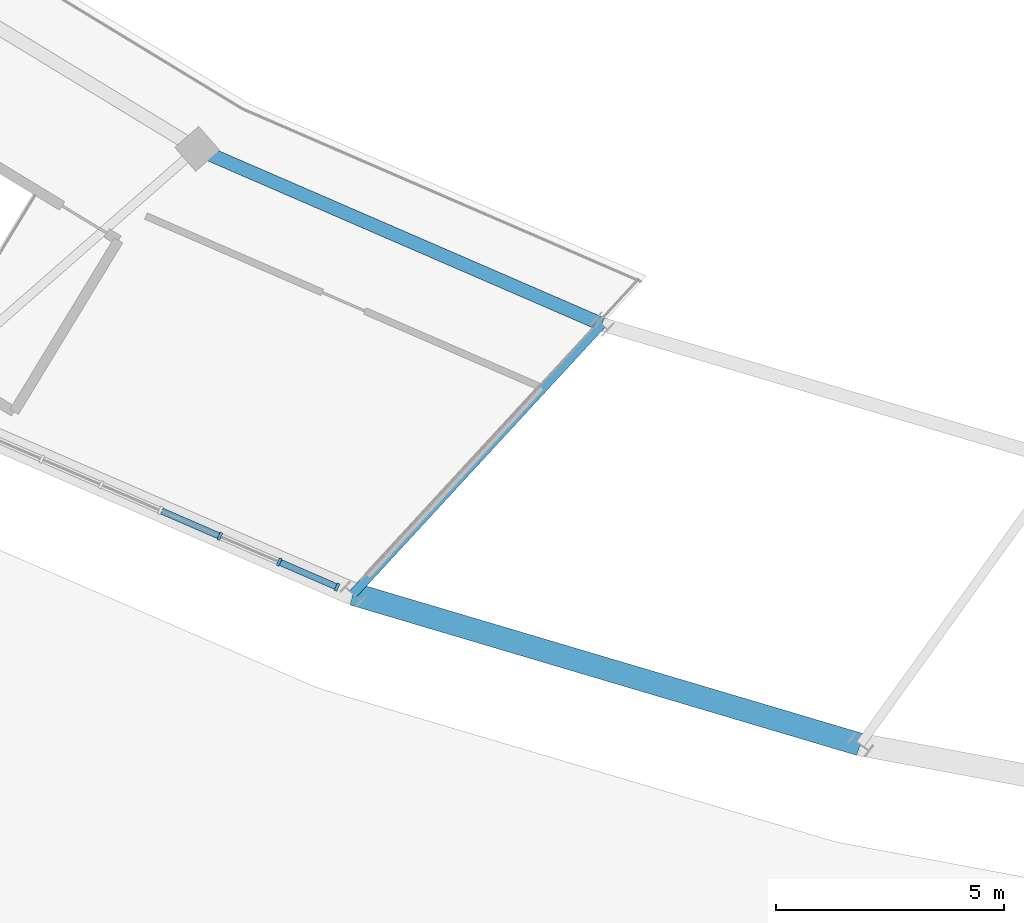
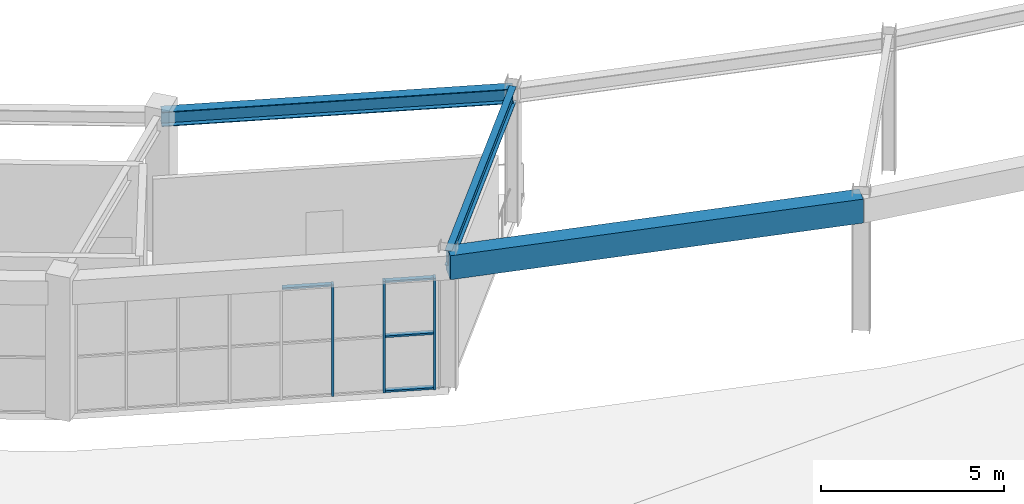
# One storey, part 15 of 45: 7 members, 3 beams, 1 element without a shape of its own.
"""IFC4 building model written with IfcOpenShell, lengths in metres."""

from ifc_helpers import new_model, si_unit, direction, frame, origin, origin_2d, place, context, subcontext, project, spatial, rectangle, i_section, extrude, material, layer, layer_set, material_profile, profile_set, type_object, element, aggregate, save


model = new_model("IFC4")

# Units and contexts
model_context = context("Model", 3, precision=1e-05, world=origin(), true_north=direction((0.0, 1.0)))
body_context = subcontext(model_context, "Body", "Model", "MODEL_VIEW")
ifc_project = project(units=[si_unit("LENGTHUNIT", "METRE"), si_unit("AREAUNIT", "SQUARE_METRE"), si_unit("VOLUMEUNIT", "CUBIC_METRE"), si_unit("PLANEANGLEUNIT", "RADIAN"), si_unit("MASSUNIT", "GRAM", prefix="KILO")], contexts=[model_context])

# Site, building, storey
site_placement = place(None, origin())
site = spatial("IfcSite", under=ifc_project, at=site_placement, CompositionType="ELEMENT")
building_placement = place(site_placement, origin())
building = spatial("IfcBuilding", under=site, at=building_placement, Name="Mphavela Belvedere Stadium", CompositionType="ELEMENT")
storey_placement = place(building_placement, frame((0.0, 0.0, 24.0)))
storey = spatial("IfcBuildingStorey", under=building, at=storey_placement, Name="L05", CompositionType="ELEMENT", Elevation=24.0)

# Beams
ifc_material_1 = material(Name="Concrete C40/50", Category="concrete")
ifc_material_profile_1 = material_profile(ifc_material_1, rectangle(XDim=0.5, YDim=0.800048828125, at=origin_2d()), Name="RC 500x800")
ifc_profile_set_1 = profile_set([ifc_material_profile_1], Name="Concrete C40/50")
beam_type_1 = type_object("IfcBeamType", Name="BM-SPANDREL-800", PredefinedType="SPANDREL", material=ifc_profile_set_1)
beam_1_placement = place(storey_placement, frame((54.0625, 20.90869140625, 4.14990234375), z_axis=(0.958656362639, -0.284566298727, 0.0), x_axis=(0.284566298727, 0.958656362639, 0.0)))
element("IfcBeam", 1, at=beam_1_placement, inside=storey, type_object=beam_type_1, Name="Circumferential girder L05 R4-33", PredefinedType="SPANDREL", context=body_context, shape_type="SweptSolid", body=[
    extrude(rectangle(XDim=0.5, YDim=0.800048828125, at=origin_2d()), origin(), (0.0, 0.0, 1.0), 11.616455078125),
])
ifc_material_2 = material(Name="Steel S355", Category="steel")
ifc_material_profile_2 = material_profile(ifc_material_2, i_section(OverallWidth=0.300048828125, OverallDepth=0.489990234375, WebThickness=0.011962890625, FlangeThickness=0.02294921875, at=origin_2d()), Name="HEA 500")
ifc_profile_set_2 = profile_set([ifc_material_profile_2], Name="Steel S355")
beam_type_2 = type_object("IfcBeamType", Name="BM-STEEL-HEA500", PredefinedType="BEAM", material=ifc_profile_set_2)
beam_2_placement = place(storey_placement, frame((50.639892578125, 30.68310546875, 4.304931640625), z_axis=(0.917501650019, -0.397731972832, 0.0), x_axis=(0.397731972832, 0.917501650019, 0.0)))
element("IfcBeam", 2, at=beam_2_placement, inside=storey, type_object=beam_type_2, Name="Circumferential girder L05 R3-32", PredefinedType="BEAM", context=body_context, shape_type="SweptSolid", body=[
    extrude(i_section(OverallWidth=0.300048828125, OverallDepth=0.489990234375, WebThickness=0.011962890625, FlangeThickness=0.02294921875, at=origin_2d()), origin(), (0.0, 0.0, 1.0), 9.6826171875),
])
ifc_material_3 = material(Name="Steel S355", Category="steel")
ifc_material_profile_3 = material_profile(ifc_material_3, i_section(OverallWidth=0.199951171875, OverallDepth=0.5, WebThickness=0.01025390625, FlangeThickness=0.01611328125, at=origin_2d()), Name="IPE 500")
ifc_profile_set_3 = profile_set([ifc_material_profile_3], Name="Steel S355")
beam_type_3 = type_object("IfcBeamType", Name="BM-STEEL-IPE500", PredefinedType="BEAM", material=ifc_profile_set_3)
beam_3_placement = place(storey_placement, frame((59.523681640625, 26.83203125, 4.300048828125), z_axis=(-0.67784325477, -0.735206448532, 0.0), x_axis=(0.735206448532, -0.67784325477, 0.0)))
element("IfcBeam", 3, at=beam_3_placement, inside=storey, type_object=beam_type_3, Name="Radial concourse girder L05 R3R4-33", PredefinedType="BEAM", context=body_context, shape_type="SweptSolid", body=[
    extrude(i_section(OverallWidth=0.199951171875, OverallDepth=0.5, WebThickness=0.01025390625, FlangeThickness=0.01611328125, at=origin_2d()), origin(), (0.0, 0.0, 1.0), 8.056640625),
])

# Curtain wall, members
ifc_material_4 = material(Name="Anodised bronze unitised curtain wall framing")
ifc_layer = layer(ifc_material_4, 0.18505859375)
ifc_layer_set = layer_set([ifc_layer], Name="Anodised bronze unitised curtain wall framing")
curtain_wall_type = type_object("IfcCurtainWallType", Name="CW-UNIT-02", PredefinedType="USERDEFINED", material=ifc_layer_set)
curtain_wall_placement = place(storey_placement, origin())
curtain_wall = element("IfcCurtainWall", 4, at=curtain_wall_placement, inside=storey, type_object=curtain_wall_type, Name="Belvedere colonnade curtain wall L05-32", ObjectType="UNITISED CURTAIN WALL", PredefinedType="USERDEFINED")
ifc_material_5 = material(Name="Anodised bronze extruded aluminium", Category="aluminium")
ifc_material_profile_4 = material_profile(ifc_material_5, rectangle(XDim=0.179931640625, YDim=0.06494140625, at=origin_2d()), Name="CW-MUL 180x65")
ifc_profile_set_4 = profile_set([ifc_material_profile_4], Name="Anodised bronze extruded aluminium")
member_type_1 = type_object("IfcMemberType", Name="CWM-180x65", PredefinedType="MULLION", material=ifc_profile_set_4)
member_1_placement = place(storey_placement, frame((51.137451171875, 22.1767578125, 0.0), z_axis=(0.0, 0.0, 1.0), x_axis=(0.39774295054, 0.917496891164, 0.0)))
member_1 = element("IfcMember", 5, at=member_1_placement, type_object=member_type_1, Name="CW-02 mullion 6", PredefinedType="MULLION", context=body_context, shape_type="SweptSolid", body=[
    extrude(rectangle(XDim=0.179931640625, YDim=0.06494140625, at=origin_2d()), origin(), (0.0, 0.0, 1.0), 3.719970703125),
])
member_2_placement = place(storey_placement, frame((52.440185546875, 21.61181640625, 0.0), z_axis=(0.0, 0.0, 1.0), x_axis=(0.39774295054, 0.917496891164, 0.0)))
member_2 = element("IfcMember", 6, at=member_2_placement, type_object=member_type_1, Name="CW-02 mullion 7", PredefinedType="MULLION", context=body_context, shape_type="SweptSolid", body=[
    extrude(rectangle(XDim=0.179931640625, YDim=0.06494140625, at=origin_2d()), origin(), (0.0, 0.0, 1.0), 3.719970703125),
])
member_3_placement = place(storey_placement, frame((53.71337890625, 21.06005859375, 0.0), z_axis=(0.0, 0.0, 1.0), x_axis=(0.39774295054, 0.917496891164, 0.0)))
member_3 = element("IfcMember", 7, at=member_3_placement, type_object=member_type_1, Name="CW-02 mullion 8", PredefinedType="MULLION", context=body_context, shape_type="SweptSolid", body=[
    extrude(rectangle(XDim=0.179931640625, YDim=0.06494140625, at=origin_2d()), origin(), (0.0, 0.0, 1.0), 3.719970703125),
])
ifc_material_6 = material(Name="Anodised bronze extruded aluminium", Category="aluminium")
ifc_material_profile_5 = material_profile(ifc_material_6, rectangle(XDim=0.139892578125, YDim=0.06005859375, at=origin_2d()), Name="CW-TRN 140x60")
ifc_profile_set_5 = profile_set([ifc_material_profile_5], Name="Anodised bronze extruded aluminium")
member_type_2 = type_object("IfcMemberType", Name="CWT-140x60", PredefinedType="USERDEFINED", material=ifc_profile_set_5)
member_4_placement = place(storey_placement, frame((49.8642578125, 22.728515625, 3.68994140625), z_axis=(0.917553434392, -0.39761249356, 0.0), x_axis=(0.39761249356, 0.917553434392, 0.0)))
member_4 = element("IfcMember", 8, at=member_4_placement, type_object=member_type_2, Name="CW-02 transom 5.3", ObjectType="TRANSOM", PredefinedType="USERDEFINED", context=body_context, shape_type="SweptSolid", body=[
    extrude(rectangle(XDim=0.139892578125, YDim=0.06005859375, at=origin_2d()), origin(), (0.0, 0.0, 1.0), 1.355224609375),
])
member_5_placement = place(storey_placement, frame((52.469970703125, 21.598876953125, 0.030029296875), z_axis=(0.917533173088, -0.397659246445, 0.0), x_axis=(0.397659246445, 0.917533173088, 0.0)))
member_5 = element("IfcMember", 9, at=member_5_placement, type_object=member_type_2, Name="CW-02 transom 7.1", ObjectType="TRANSOM", PredefinedType="USERDEFINED", context=body_context, shape_type="SweptSolid", body=[
    extrude(rectangle(XDim=0.139892578125, YDim=0.06005859375, at=origin_2d()), origin(), (0.0, 0.0, 1.0), 1.322509765625),
])
member_6_placement = place(storey_placement, frame((52.469970703125, 21.598876953125, 1.860107421875), z_axis=(0.917533173088, -0.397659246445, 0.0), x_axis=(0.397659246445, 0.917533173088, 0.0)))
member_6 = element("IfcMember", 10, at=member_6_placement, type_object=member_type_2, Name="CW-02 transom 7.2", ObjectType="TRANSOM", PredefinedType="USERDEFINED", context=body_context, shape_type="SweptSolid", body=[
    extrude(rectangle(XDim=0.139892578125, YDim=0.06005859375, at=origin_2d()), origin(), (0.0, 0.0, 1.0), 1.322509765625),
])
member_7_placement = place(storey_placement, frame((52.469970703125, 21.598876953125, 3.68994140625), z_axis=(0.917533173088, -0.397659246445, 0.0), x_axis=(0.397659246445, 0.917533173088, 0.0)))
member_7 = element("IfcMember", 11, at=member_7_placement, type_object=member_type_2, Name="CW-02 transom 7.3", ObjectType="TRANSOM", PredefinedType="USERDEFINED", context=body_context, shape_type="SweptSolid", body=[
    extrude(rectangle(XDim=0.139892578125, YDim=0.06005859375, at=origin_2d()), origin(), (0.0, 0.0, 1.0), 1.322509765625),
])
aggregate(curtain_wall, [member_1, member_2, member_3, member_4, member_5, member_6, member_7])

save(model, "model.ifc")
